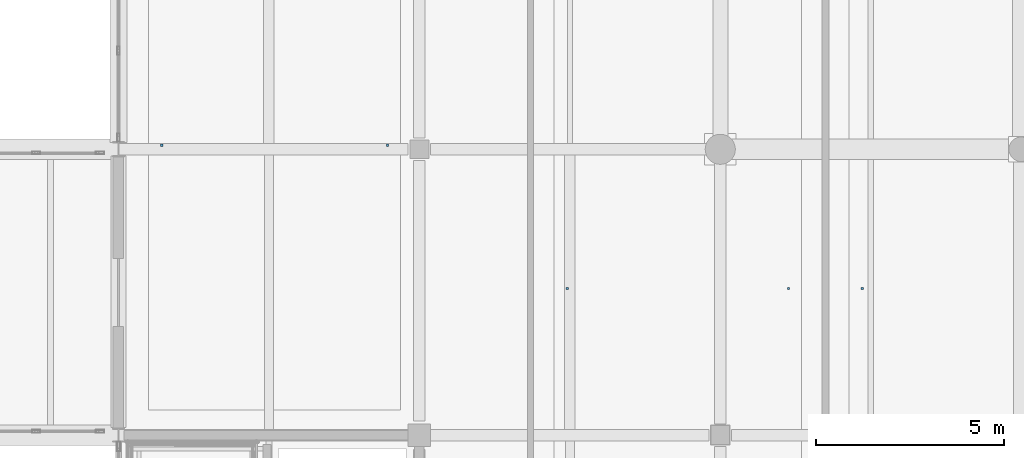
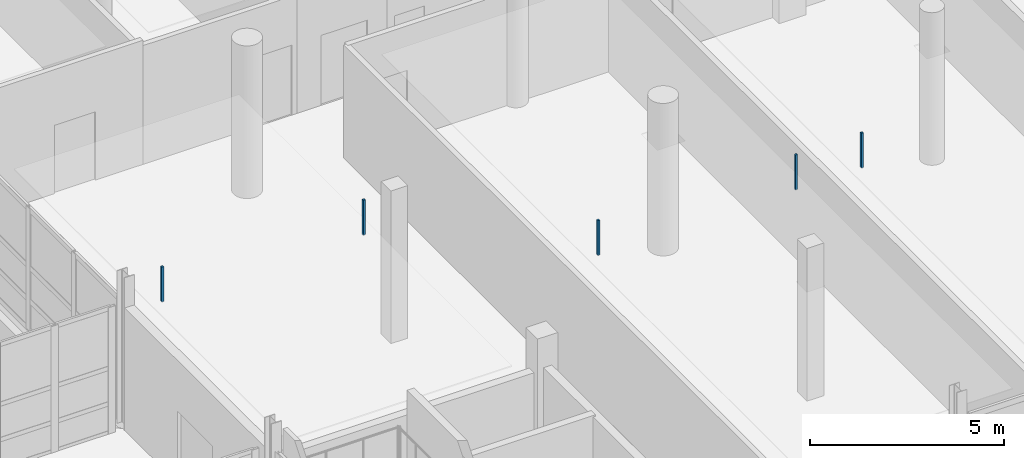
# One storey, part 113 of 147: 5 discrete accessories.
"""IFC4 building model written with IfcOpenShell, lengths in metres."""

from ifc_helpers import new_model, si_unit, direction, frame, origin, origin_2d, place, context, subcontext, project, spatial, rectangle, extrude, material, type_object, element, save


model = new_model("IFC4")

# Units and contexts
model_context = context("Model", 3, precision=1e-05, world=origin(), true_north=direction((0.0, 1.0)))
body_context = subcontext(model_context, "Body", "Model", "MODEL_VIEW")
ifc_project = project(units=[si_unit("LENGTHUNIT", "METRE"), si_unit("AREAUNIT", "SQUARE_METRE"), si_unit("VOLUMEUNIT", "CUBIC_METRE"), si_unit("PLANEANGLEUNIT", "RADIAN"), si_unit("MASSUNIT", "GRAM", prefix="KILO")], contexts=[model_context])

# Site, building, storey
site_placement = place(None, origin())
site = spatial("IfcSite", under=ifc_project, at=site_placement, CompositionType="ELEMENT")
building_placement = place(site_placement, origin())
building = spatial("IfcBuilding", under=site, at=building_placement, Name="Khelvaren Railside Concert Hall", CompositionType="ELEMENT")
storey_placement = place(building_placement, frame((0.0, 0.0, 5.39990234375)))
storey = spatial("IfcBuildingStorey", under=building, at=storey_placement, Name="L01", CompositionType="ELEMENT", Elevation=5.39990234375)

# Discrete accessories
ifc_material = material(Name="Galvanised steel acoustic ceiling hanger rod", Category="steel")
discrete_accessory_type = type_object("IfcDiscreteAccessoryType", Name="BRK62", PredefinedType="BRACKET", material=ifc_material)
for number, where, z_axis, x_axis, name in (
    (1, (145.14990234375, 15.31005859375, 3.429931640625), (0.0, 0.0, 1.0), (1.0, 0.0, 0.0), "Acoustic Ceiling Suspension Bracket 42-1"),
    (2, (151.14990234375, 15.31005859375, 3.429931640625), (0.0, 0.0, 1.0), (1.0, 0.0, 0.0), "Acoustic Ceiling Suspension Bracket 42-2"),
    (3, (155.929931640625, 11.5, 3.429931640625), (0.0, 0.0, 1.0), (1.0, 0.0, 0.0), "Acoustic Ceiling Suspension Bracket 43-1"),
    (4, (161.81591796875, 11.5, 3.429931640625), (0.0, 0.0, 1.0), (1.0, 0.0, 0.0), "Acoustic Ceiling Suspension Bracket 43-2"),
    (5, (163.77587890625, 11.5, 3.429931640625), (0.0, 0.0, 1.0), (1.0, 0.0, 0.0), "Acoustic Ceiling Suspension Bracket 44-1"),
):
    element("IfcDiscreteAccessory", number, at=place(storey_placement, frame(where, z_axis=z_axis, x_axis=x_axis)), inside=storey, type_object=discrete_accessory_type, Name=name, PredefinedType="BRACKET", context=body_context, shape_type="SweptSolid", body=[
        extrude(rectangle(XDim=0.06005859375, YDim=0.06005859375, at=origin_2d()), origin(), (0.0, 0.0, 1.0), 1.10009765625),
    ])

save(model, "model.ifc")
